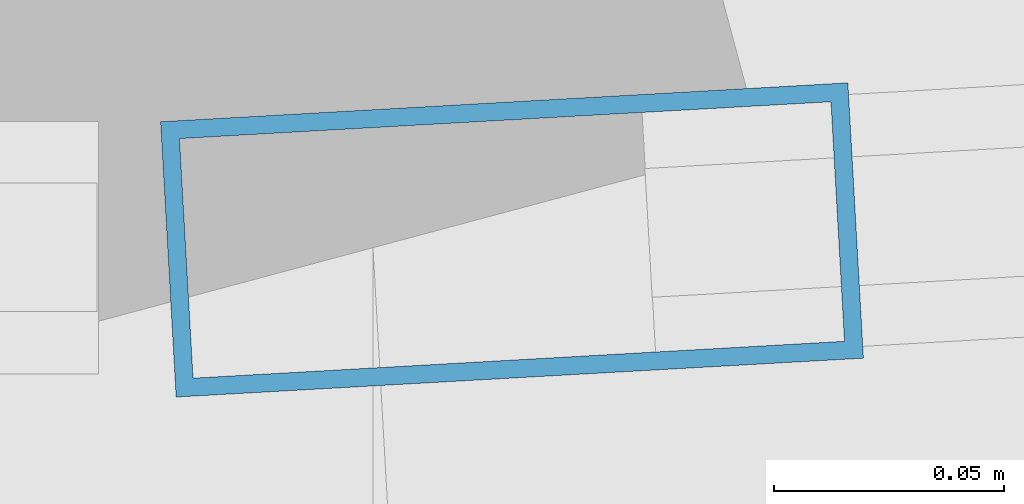
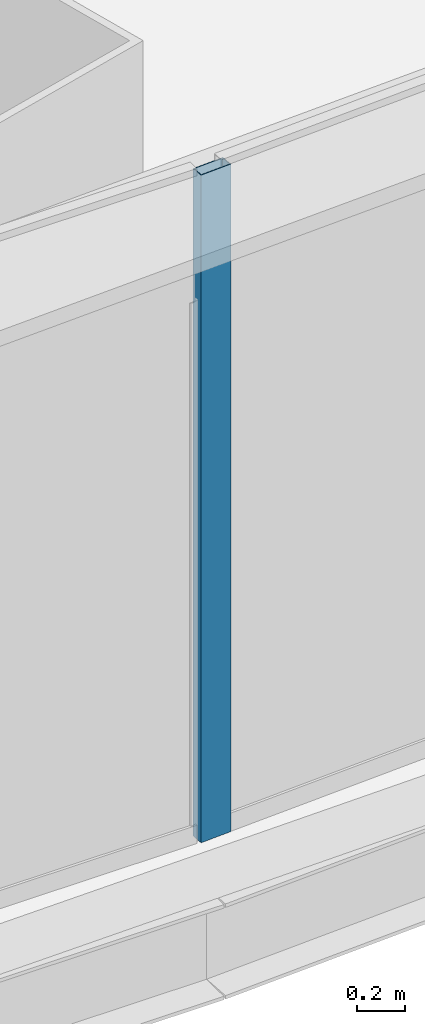
# One storey, part 12 of 42: 1 member, 1 element without a shape of its own.
"""IFC4 building model written with IfcOpenShell, lengths in metres."""

import ifcopenshell
import ifcopenshell.guid

model = None  # the IFC model being written
_history = None  # IfcOwnerHistory: only IFC2X3 demands one
_inside = {}  # id of a spatial element -> (the spatial element, [elements in it])
_under = {}  # id of a project, library or spatial element -> (it, [spatial elements below it])
_declared = {}  # id of a project -> (the project, [libraries it declares])
_typed = {}  # id of a type object -> (the type object, [elements of that type])
_made_of = {}  # id of a material, layer set ... -> (it, [elements and type objects made of it])


def new_model(schema):
    """Start an empty IFC model of exactly this schema.

    Asked for "IFC4X3", IfcOpenShell would pick the latest addendum, in which some entities
    have other attributes; the version numbers below select the first issue.
    IFC2X3 requires an IfcOwnerHistory on every rooted entity: one is made here for all.
    """
    global model, _history
    if schema == "IFC4X3":
        model = ifcopenshell.file(schema_version=(4, 3, 0, 0))
    else:
        model = ifcopenshell.file(schema=schema)
    _inside.clear()
    _under.clear()
    _declared.clear()
    _typed.clear()
    _made_of.clear()
    _history = None
    if model.schema == "IFC2X3":
        org = make("IfcOrganization", Name="unknown")
        user = make(
            "IfcPersonAndOrganization",
            ThePerson=make("IfcPerson", FamilyName="unknown"),
            TheOrganization=org,
        )
        app = make(
            "IfcApplication",
            ApplicationDeveloper=org,
            Version="unknown",
            ApplicationFullName="unknown",
            ApplicationIdentifier="unknown",
        )
        _history = make(
            "IfcOwnerHistory",
            OwningUser=user,
            OwningApplication=app,
            ChangeAction="ADDED",
            CreationDate=0,
        )
    return model


def make(cls, **values):
    """One entity of the class cls with the attributes given. An attribute that is None is left unset."""
    return model.create_entity(
        cls, **{name: value for name, value in values.items() if value is not None}
    )


def rooted(cls, **values):
    """An entity with a GlobalId (a new one), such as an element, a storey or a relation."""
    return make(cls, GlobalId=ifcopenshell.guid.new(), OwnerHistory=_history, **values)


def si_unit(unit_type, name, prefix=None):
    """IfcSIUnit, for example si_unit("LENGTHUNIT", "METRE", prefix="MILLI")."""
    return make("IfcSIUnit", UnitType=unit_type, Prefix=prefix, Name=name)


def assignment(units):
    """IfcUnitAssignment: the units of a project."""
    return None if units is None else make("IfcUnitAssignment", Units=units)


def point(xyz):
    """IfcCartesianPoint."""
    return None if xyz is None else make("IfcCartesianPoint", Coordinates=xyz)


def direction(xyz):
    """IfcDirection."""
    return None if xyz is None else make("IfcDirection", DirectionRatios=xyz)


def frame(location, z_axis=None, x_axis=None):
    """IfcAxis2Placement3D, a coordinate frame: its origin and axes. An axis left out is left unset."""
    return make(
        "IfcAxis2Placement3D",
        Location=point(location),
        Axis=direction(z_axis),
        RefDirection=direction(x_axis),
    )


def frame_2d(location, x_axis=None):
    """IfcAxis2Placement2D, a coordinate frame in the plane: its origin and x axis."""
    return make(
        "IfcAxis2Placement2D", Location=point(location), RefDirection=direction(x_axis)
    )


def origin():
    """The frame at (0, 0, 0) with its axes left unset."""
    return frame((0.0, 0.0, 0.0))


def origin_2d():
    """The frame at (0, 0) in the plane with its x axis left unset."""
    return frame_2d((0.0, 0.0))


def place(relative_to, where):
    """IfcLocalPlacement: puts the frame where relative to a parent placement (None: the world)."""
    return make(
        "IfcLocalPlacement", PlacementRelTo=relative_to, RelativePlacement=where
    )


def context(
    kind, dimensions, precision=None, world=None, true_north=None, identifier=None
):
    """IfcGeometricRepresentationContext, for example the 3D "Model" context."""
    return make(
        "IfcGeometricRepresentationContext",
        ContextIdentifier=identifier,
        ContextType=kind,
        CoordinateSpaceDimension=dimensions,
        Precision=precision,
        WorldCoordinateSystem=world,
        TrueNorth=true_north,
    )


def subcontext(parent, identifier, kind, view, scale=None):
    """IfcGeometricRepresentationSubContext, for example "Body" below "Model"."""
    return make(
        "IfcGeometricRepresentationSubContext",
        ContextIdentifier=identifier,
        ContextType=kind,
        ParentContext=parent,
        TargetScale=scale,
        TargetView=view,
    )


def project(units=None, contexts=None):
    """IfcProject with its units and contexts."""
    return rooted(
        "IfcProject",
        Name="project",
        RepresentationContexts=contexts,
        UnitsInContext=assignment(units),
    )


def spatial(cls, under=None, at=None, **own):
    """A site, building, storey or space (cls), placed at a placement, below another one or the project."""
    s = rooted(cls, ObjectPlacement=at, **own)
    if under is not None:
        _under.setdefault(under.id(), (under, []))[1].append(s)
    return s


def profile(cls, at=None, kind="AREA", **sizes):
    """A parametric profile (cls). Its sizes go by their IFC names, for example OverallWidth=200.0."""
    return make(cls, ProfileType=kind, Position=at, **sizes)


def hollow_rectangle(**sizes):
    """IfcRectangleHollowProfileDef."""
    return profile("IfcRectangleHollowProfileDef", **sizes)


def extrude(swept, where, along, depth):
    """IfcExtrudedAreaSolid: the profile swept, set in the frame where, extruded along a direction by depth."""
    return make(
        "IfcExtrudedAreaSolid",
        SweptArea=swept,
        Position=where,
        ExtrudedDirection=direction(along),
        Depth=depth,
    )


def shape(context_of_items, identifier, shape_type, items):
    """IfcShapeRepresentation: the items that make up one representation, for example the "Body"."""
    return make(
        "IfcShapeRepresentation",
        ContextOfItems=context_of_items,
        RepresentationIdentifier=identifier,
        RepresentationType=shape_type,
        Items=items,
    )


def source(mapping_origin, context_of_items, identifier, shape_type, items):
    """IfcRepresentationMap: a shape defined once, which mapped items show again and again."""
    return make(
        "IfcRepresentationMap",
        MappingOrigin=mapping_origin,
        MappedRepresentation=shape(context_of_items, identifier, shape_type, items),
    )


def transform(
    local_origin,
    x_axis=None,
    y_axis=None,
    z_axis=None,
    scale=None,
    scale2=None,
    scale3=None,
    uniform=True,
):
    """IfcCartesianTransformationOperator3D, or its non-uniform kind. x_axis, y_axis, z_axis: its Axis1, 2, 3."""
    if uniform:
        return make(
            "IfcCartesianTransformationOperator3D",
            Axis1=direction(x_axis),
            Axis2=direction(y_axis),
            LocalOrigin=point(local_origin),
            Scale=scale,
            Axis3=direction(z_axis),
        )
    return make(
        "IfcCartesianTransformationOperator3DnonUniform",
        Axis1=direction(x_axis),
        Axis2=direction(y_axis),
        LocalOrigin=point(local_origin),
        Scale=scale,
        Axis3=direction(z_axis),
        Scale2=scale2,
        Scale3=scale3,
    )


def mapped(mapping_source, mapping_target):
    """IfcMappedItem: shows the shape of a source again, moved by a transform."""
    return make(
        "IfcMappedItem", MappingSource=mapping_source, MappingTarget=mapping_target
    )


def material(Name=None, Category=None):
    """IfcMaterial."""
    return make("IfcMaterial", Name=Name, Category=Category)


def layer(
    of_material, thickness, ventilated=None, Name=None, Category=None, Priority=None
):
    """IfcMaterialLayer: one layer of a wall or slab, of a material (None: an air gap)."""
    return make(
        "IfcMaterialLayer",
        Material=of_material,
        LayerThickness=thickness,
        IsVentilated=ventilated,
        Name=Name,
        Category=Category,
        Priority=Priority,
    )


def layer_set(layers, Name=None):
    """IfcMaterialLayerSet."""
    return make("IfcMaterialLayerSet", MaterialLayers=layers, LayerSetName=Name)


def material_profile(
    of_material, cross_section, Name=None, Category=None, Priority=None
):
    """IfcMaterialProfile: a cross section and its material."""
    return make(
        "IfcMaterialProfile",
        Name=Name,
        Material=of_material,
        Profile=cross_section,
        Priority=Priority,
        Category=Category,
    )


def profile_set(profiles, Name=None, composite=None):
    """IfcMaterialProfileSet."""
    return make(
        "IfcMaterialProfileSet",
        Name=Name,
        MaterialProfiles=profiles,
        CompositeProfile=composite,
    )


def made_of(thing, what):
    """Note that an element or type object is made of a material, layer set ...; save() writes the relation."""
    if what is not None:
        _made_of.setdefault(what.id(), (what, []))[1].append(thing)
    return thing


def type_object(cls, material=None, **own):
    """A type object (cls), such as IfcWallType, which elements share."""
    return made_of(rooted(cls, **own), material)


def element(
    cls,
    number,
    at=None,
    inside=None,
    cuts=None,
    type_object=None,
    material=None,
    context=None,
    identifier="Body",
    shape_type=None,
    held_by="IfcProductDefinitionShape",
    body=None,
    shapes=None,
    **own,
):
    """One element of the class cls, such as IfcWall. Its Tag is "e" and its number.

    at: its placement. inside: the storey or other place that contains it. cuts: it is an
    opening in that element (IfcRelVoidsElement). A single representation is given by context,
    identifier, shape_type and body (its items); several are given by shapes. held_by: the class
    of the entity that holds the representations. save() writes the other relations.
    """
    e = rooted(cls, Tag="e%d" % number, ObjectPlacement=at, **own)
    if body is not None:
        shapes = [shape(context, identifier, shape_type, body)]
    if shapes is not None:
        e.Representation = make(held_by, Representations=shapes)
    if inside is not None:
        _inside.setdefault(inside.id(), (inside, []))[1].append(e)
    if cuts is not None:
        rooted(
            "IfcRelVoidsElement", RelatingBuildingElement=cuts, RelatedOpeningElement=e
        )
    if type_object is not None:
        _typed.setdefault(type_object.id(), (type_object, []))[1].append(e)
    return made_of(e, material)


def aggregate(whole, parts):
    """IfcRelAggregates: a whole, such as a stair, and the parts it consists of."""
    return rooted("IfcRelAggregates", RelatingObject=whole, RelatedObjects=parts)


def save(model, path):
    """Write the relations noted so far, then the file.

    IfcRelAggregates (storeys below a building ...), IfcRelContainedInSpatialStructure (elements
    in a storey), IfcRelDefinesByType, IfcRelAssociatesMaterial and IfcRelDeclares: one each for
    every whole, place, type object, material and project.
    """
    for whole, parts in _under.values():
        aggregate(whole, parts)
    for where, things in _inside.values():
        rooted(
            "IfcRelContainedInSpatialStructure",
            RelatedElements=things,
            RelatingStructure=where,
        )
    for kind, things in _typed.values():
        rooted("IfcRelDefinesByType", RelatedObjects=things, RelatingType=kind)
    for what, things in _made_of.values():
        rooted("IfcRelAssociatesMaterial", RelatedObjects=things, RelatingMaterial=what)
    for by, libraries in _declared.values():
        rooted("IfcRelDeclares", RelatingContext=by, RelatedDefinitions=libraries)
    model.write(path)


model = new_model("IFC4")

# Units and contexts
model_context = context("Model", 3, precision=1e-05, world=origin(), true_north=direction((0.0, 1.0)))
body_context = subcontext(model_context, "Body", "Model", "MODEL_VIEW")
ifc_project = project(units=[si_unit("LENGTHUNIT", "METRE"), si_unit("AREAUNIT", "SQUARE_METRE"), si_unit("VOLUMEUNIT", "CUBIC_METRE"), si_unit("PLANEANGLEUNIT", "RADIAN"), si_unit("MASSUNIT", "GRAM", prefix="KILO"), si_unit("THERMODYNAMICTEMPERATUREUNIT", "KELVIN"), si_unit("POWERUNIT", "WATT")], contexts=[model_context])

# Site, building, storey
site_placement = place(None, origin())
site = spatial("IfcSite", under=ifc_project, at=site_placement, CompositionType="ELEMENT")
building_placement = place(site_placement, origin())
building = spatial("IfcBuilding", under=site, at=building_placement, Name="Yunzhuo Pagoda Commons", CompositionType="ELEMENT")
storey_placement = place(building_placement, frame((0.0, 0.0, 151.909912109375)))
storey = spatial("IfcBuildingStorey", under=building, at=storey_placement, Name="L38", CompositionType="ELEMENT", Elevation=151.909912109375)

# Curtain wall, member
ifc_material = material(Name="Anodized aluminium 6063-T6", Category="aluminium")
ifc_layer = layer(ifc_material, 0.14990234375)
ifc_layer_set = layer_set([ifc_layer], Name="Anodized aluminium 6063-T6")
curtain_wall_type = type_object("IfcCurtainWallType", Name="CW-MID Mid-Zone Ribbon Curtain Wall", PredefinedType="NOTDEFINED", material=ifc_layer_set)
curtain_wall_placement = place(storey_placement, origin())
curtain_wall = element("IfcCurtainWall", 1, at=curtain_wall_placement, inside=storey, type_object=curtain_wall_type, Name="L38 curtain wall CW-L38-F1B4", PredefinedType="NOTDEFINED")
ifc_material_profile = material_profile(ifc_material, hollow_rectangle(XDim=0.06005859375, YDim=0.14990234375, WallThickness=0.00390625, at=origin_2d()), Name="Anodized aluminium 6063-T6")
ifc_profile_set = profile_set([ifc_material_profile], Name="Anodized aluminium 6063-T6")
member_type = type_object("IfcMemberType", Name="CW-MID-M Mullion RHS 150x60x4", PredefinedType="MULLION", material=ifc_profile_set)
shared_shape = source(origin(), body_context, "Body", "SweptSolid", [
    extrude(hollow_rectangle(XDim=0.06005859375, YDim=0.14990234375, WallThickness=0.00390625, at=origin_2d()), origin(), (0.0, 0.0, 1.0), 3.420166015625),
])
member_placement = place(storey_placement, frame((53.457763671875, 13.445556640625, 0.0), z_axis=(0.0, 0.0, 1.0), x_axis=(-0.056459249567, 0.998404904404, 0.0)))
member = element("IfcMember", 2, at=member_placement, type_object=member_type, Name="CW mullion 1", PredefinedType="MULLION", context=body_context, shape_type="MappedRepresentation", body=[
    mapped(shared_shape, transform((0.0, 0.0, 0.0), scale=1.0)),
])
aggregate(curtain_wall, [member])

save(model, "model.ifc")
